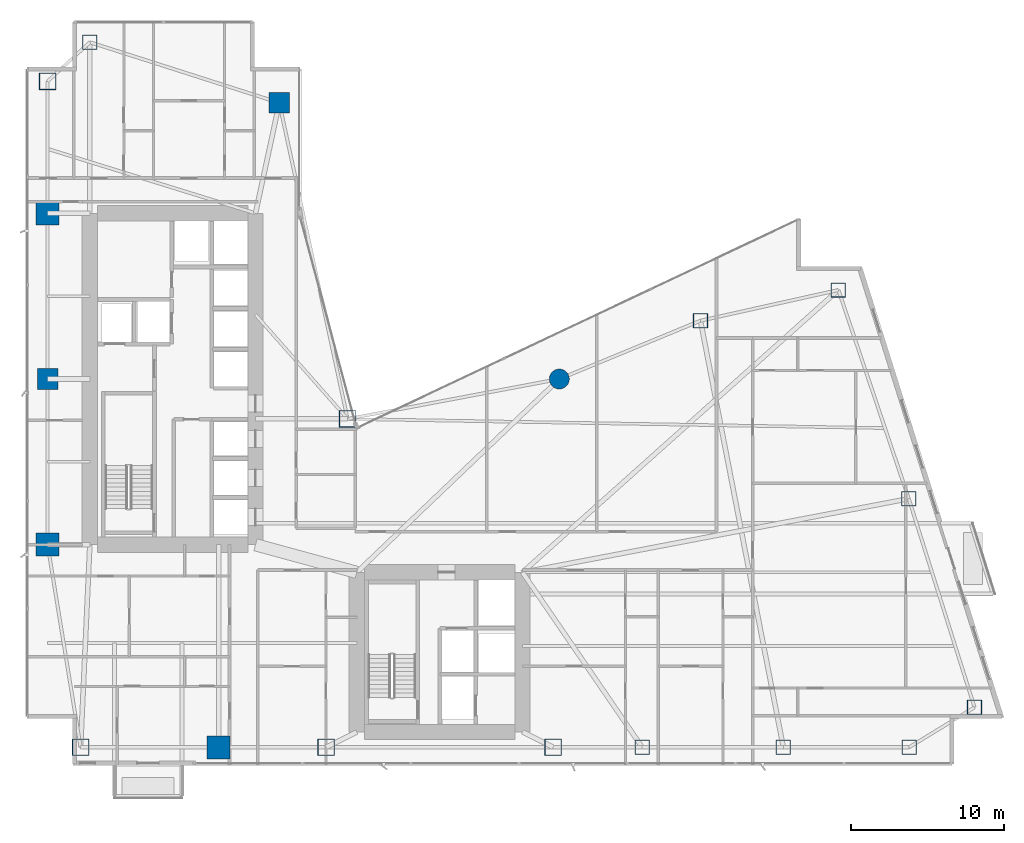
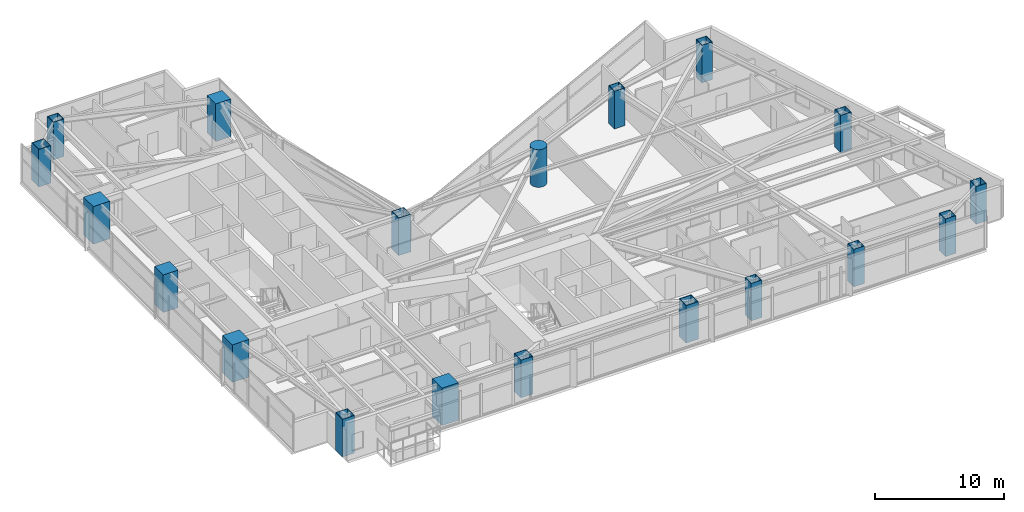
# One storey, part 1 of 29: 19 columns.
"""IFC4 building model written with IfcOpenShell, lengths in metres."""

from ifc_helpers import new_model, si_unit, direction, frame, origin, origin_2d, place, context, subcontext, project, spatial, rectangle, hollow_rectangle, circle, extrude, material, material_profile, profile_set, type_object, element, save


model = new_model("IFC4")

# Units and contexts
model_context = context("Model", 3, precision=1e-05, world=origin(), true_north=direction((0.0, 1.0)))
body_context = subcontext(model_context, "Body", "Model", "MODEL_VIEW")
ifc_project = project(units=[si_unit("LENGTHUNIT", "METRE"), si_unit("AREAUNIT", "SQUARE_METRE"), si_unit("VOLUMEUNIT", "CUBIC_METRE"), si_unit("PLANEANGLEUNIT", "RADIAN"), si_unit("MASSUNIT", "GRAM", prefix="KILO")], contexts=[model_context])

# Site, building, storey
site_placement = place(None, origin())
site = spatial("IfcSite", under=ifc_project, at=site_placement, CompositionType="ELEMENT")
building_placement = place(site_placement, origin())
building = spatial("IfcBuilding", under=site, at=building_placement, Name="Calvorn Quay Hotel", CompositionType="ELEMENT")
storey_placement = place(building_placement, frame((0.0, 0.0, 34.60009765625)))
storey = spatial("IfcBuildingStorey", under=building, at=storey_placement, Name="L07", CompositionType="ELEMENT", Elevation=34.60009765625)

# Columns
ifc_material_1 = material(Name="Concrete C60", Category="concrete")
ifc_material_profile_1 = material_profile(ifc_material_1, rectangle(XDim=1.35009765625, YDim=1.35009765625, at=origin_2d()), Name="RC1350x1350")
ifc_profile_set_1 = profile_set([ifc_material_profile_1], Name="Concrete C60")
column_type_1 = type_object("IfcColumnType", Name="COL-RC-1350", PredefinedType="COLUMN", material=ifc_profile_set_1)
for number, where, z_axis, x_axis, name in (
    (1, (1.449951171875, 27.60009765625, 0.0), (0.0, 0.0, 1.0), (1.0, 0.0, 0.0), "Column C-W3 (L07)"),
    (2, (16.550048828125, 45.60009765625, 0.0), (0.0, 0.0, 1.0), (1.0, 0.0, 0.0), "Column C-IC1 (L07)"),
):
    element("IfcColumn", number, at=place(storey_placement, frame(where, z_axis=z_axis, x_axis=x_axis)), inside=storey, type_object=column_type_1, Name=name, PredefinedType="COLUMN", context=body_context, shape_type="SweptSolid", body=[
        extrude(rectangle(XDim=1.35009765625, YDim=1.35009765625, at=origin_2d()), origin(), (0.0, 0.0, 1.0), 3.559814453125),
    ])
ifc_material_2 = material(Name="Concrete C60", Category="concrete")
ifc_material_profile_2 = material_profile(ifc_material_2, rectangle(XDim=1.5, YDim=1.5, at=origin_2d()), Name="RC1500x1500")
ifc_profile_set_2 = profile_set([ifc_material_profile_2], Name="Concrete C60")
column_type_2 = type_object("IfcColumnType", Name="COL-RC-1500", PredefinedType="COLUMN", material=ifc_profile_set_2)
for number, where, z_axis, x_axis, name in (
    (3, (1.449951171875, 16.800048828125, 0.0), (0.0, 0.0, 1.0), (1.0, 0.0, 0.0), "Column C-W2 (L07)"),
    (4, (1.449951171875, 38.39990234375, 0.0), (0.0, 0.0, 1.0), (1.0, 0.0, 0.0), "Column C-W4 (L07)"),
    (5, (12.60009765625, 3.60009765625, 0.0), (0.0, 0.0, 1.0), (1.0, 0.0, 0.0), "Column C-S1 (L07)"),
):
    element("IfcColumn", number, at=place(storey_placement, frame(where, z_axis=z_axis, x_axis=x_axis)), inside=storey, type_object=column_type_2, Name=name, PredefinedType="COLUMN", context=body_context, shape_type="SweptSolid", body=[
        extrude(rectangle(XDim=1.5, YDim=1.5, at=origin_2d()), origin(), (0.0, 0.0, 1.0), 3.559814453125),
    ])
ifc_material_3 = material(Name="Concrete C60", Category="concrete")
ifc_material_profile_3 = material_profile(ifc_material_3, circle(Radius=0.64990234375, at=origin_2d()), Name="RCD1300")
ifc_profile_set_3 = profile_set([ifc_material_profile_3], Name="Concrete C60")
column_type_3 = type_object("IfcColumnType", Name="COL-RC-D1300", PredefinedType="COLUMN", material=ifc_profile_set_3)
column_placement = place(storey_placement, frame((34.800048828125, 27.60009765625, 0.0), z_axis=(0.0, 0.0, 1.0), x_axis=(1.0, 0.0, 0.0)))
element("IfcColumn", 6, at=column_placement, inside=storey, type_object=column_type_3, Name="Column C-NC1 (L07)", PredefinedType="COLUMN", context=body_context, shape_type="SweptSolid", body=[
    extrude(circle(Radius=0.64990234375, at=origin_2d()), origin(), (0.0, 0.0, 1.0), 3.559814453125),
])
ifc_material_4 = material(Name="Steel Q420GJC", Category="steel")
ifc_material_profile_4 = material_profile(ifc_material_4, hollow_rectangle(XDim=1.10009765625, YDim=1.10009765625, WallThickness=0.044921875, at=origin_2d()), Name="BOX1100x1100x45")
ifc_profile_set_4 = profile_set([ifc_material_profile_4], Name="Steel Q420GJC")
column_type_4 = type_object("IfcColumnType", Name="COL-STL-MEGA1", PredefinedType="COLUMN", material=ifc_profile_set_4)
for number, where, z_axis, x_axis, name in (
    (7, (3.60009765625, 3.60009765625, 0.0), (0.0, 0.0, 1.0), (1.0, 0.0, 0.0), "Column C-W1 (L07)"),
    (8, (1.449951171875, 47.0, 0.0), (0.0, 0.0, 1.0), (1.0, 0.0, 0.0), "Column C-W5 (L07)"),
    (9, (21.0, 25.0, 0.0), (0.0, 0.0, 1.0), (1.0, 0.0, 0.0), "Column C-IC2 (L07)"),
    (10, (19.60009765625, 3.60009765625, 0.0), (0.0, 0.0, 1.0), (1.0, 0.0, 0.0), "Column C-S2 (L07)"),
    (11, (34.39990234375, 3.60009765625, 0.0), (0.0, 0.0, 1.0), (1.0, 0.0, 0.0), "Column C-S3 (L07)"),
):
    element("IfcColumn", number, at=place(storey_placement, frame(where, z_axis=z_axis, x_axis=x_axis)), inside=storey, type_object=column_type_4, Name=name, PredefinedType="COLUMN", context=body_context, shape_type="SweptSolid", body=[
        extrude(hollow_rectangle(XDim=1.10009765625, YDim=1.10009765625, WallThickness=0.044921875, at=origin_2d()), origin(), (0.0, 0.0, 1.0), 3.559814453125),
    ])
ifc_material_5 = material(Name="Steel Q420GJC", Category="steel")
ifc_material_profile_5 = material_profile(ifc_material_5, hollow_rectangle(XDim=0.949951171875, YDim=0.949951171875, WallThickness=0.0400390625, at=origin_2d()), Name="BOX950x950x40")
ifc_profile_set_5 = profile_set([ifc_material_profile_5], Name="Steel Q420GJC")
column_type_5 = type_object("IfcColumnType", Name="COL-STL-MEGA2", PredefinedType="COLUMN", material=ifc_profile_set_5)
for number, where, z_axis, x_axis, name in (
    (12, (4.199951171875, 49.550048828125, 0.0), (0.0, 0.0, 1.0), (1.0, 0.0, 0.0), "Column C-NW1 (L07)"),
    (13, (40.199951171875, 3.60009765625, 0.0), (0.0, 0.0, 1.0), (1.0, 0.0, 0.0), "Column C-S4 (L07)"),
    (14, (49.39990234375, 3.60009765625, 0.0), (0.0, 0.0, 1.0), (1.0, 0.0, 0.0), "Column C-S5 (L07)"),
    (15, (57.60009765625, 3.60009765625, 0.0), (0.0, 0.0, 1.0), (1.0, 0.0, 0.0), "Column C-S6 (L07)"),
    (16, (44.0, 31.39990234375, 0.0), (0.0, 0.0, 1.0), (1.0, 0.0, 0.0), "Column C-NC2 (L07)"),
    (17, (61.861083984375, 6.199951171875, 0.0), (0.0, 0.0, 1.0), (1.0, 0.0, 0.0), "Column C-ET1 (L07)"),
    (18, (57.575927734375, 19.800048828125, 0.0), (0.0, 0.0, 1.0), (1.0, 0.0, 0.0), "Column C-ET2 (L07)"),
    (19, (52.990966796875, 33.39990234375, 0.0), (0.0, 0.0, 1.0), (1.0, 0.0, 0.0), "Column C-ET3 (L07)"),
):
    element("IfcColumn", number, at=place(storey_placement, frame(where, z_axis=z_axis, x_axis=x_axis)), inside=storey, type_object=column_type_5, Name=name, PredefinedType="COLUMN", context=body_context, shape_type="SweptSolid", body=[
        extrude(hollow_rectangle(XDim=0.949951171875, YDim=0.949951171875, WallThickness=0.0400390625, at=origin_2d()), origin(), (0.0, 0.0, 1.0), 3.559814453125),
    ])

save(model, "model.ifc")
